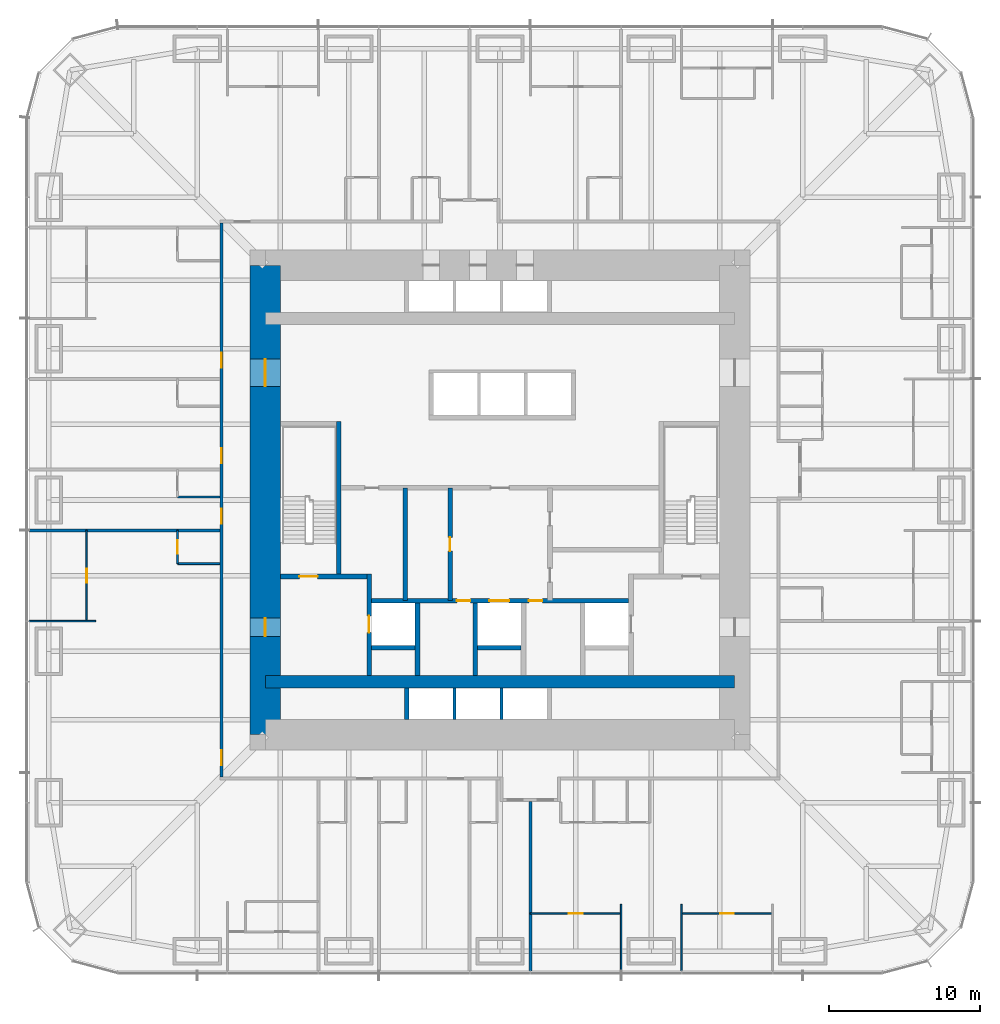
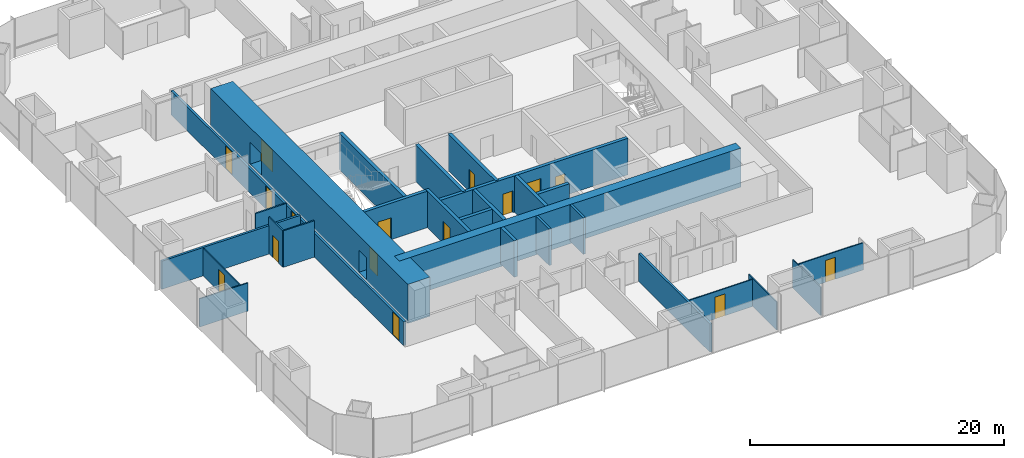
# One storey, part 12 of 16: 27 walls, 16 doors, 16 openings.
"""IFC4 building model written with IfcOpenShell, lengths in metres."""

from ifc_helpers import new_model, si_unit, direction, frame, frame_2d, origin, place, context, subcontext, project, spatial, rectangle, extrude, material, layer, layer_set, type_object, element, fill, save


model = new_model("IFC4")

# Units and contexts
model_context = context("Model", 3, precision=1e-05, world=origin(), true_north=direction((0.0, 1.0)))
body_context = subcontext(model_context, "Body", "Model", "MODEL_VIEW")
ifc_project = project(units=[si_unit("LENGTHUNIT", "METRE"), si_unit("AREAUNIT", "SQUARE_METRE"), si_unit("VOLUMEUNIT", "CUBIC_METRE"), si_unit("PLANEANGLEUNIT", "RADIAN"), si_unit("MASSUNIT", "GRAM", prefix="KILO")], contexts=[model_context])

# Site, building, storey
site_placement = place(None, origin())
site = spatial("IfcSite", under=ifc_project, at=site_placement, CompositionType="ELEMENT")
building_placement = place(site_placement, origin())
building = spatial("IfcBuilding", under=site, at=building_placement, Name="Khuree Lantern Residences", CompositionType="ELEMENT")
storey_placement = place(building_placement, frame((0.0, 0.0, 69.75)))
storey = spatial("IfcBuildingStorey", under=building, at=storey_placement, Name="L17", CompositionType="ELEMENT", Elevation=69.75)

# Wall
ifc_material_1 = material(Name="Moisture-resistant gypsum board on steel studs", Category="steel")
ifc_layer_1 = layer(ifc_material_1, 0.125)
ifc_layer_set_1 = layer_set([ifc_layer_1], Name="BATHROOM WALL BTW125")
wall_type_1 = type_object("IfcWallType", Name="BATHROOM WALL BTW125", PredefinedType="PARTITIONING", material=ifc_layer_set_1)
wall_1_placement = place(storey_placement, frame((-18.5, 0.199951171875, 0.0), z_axis=(0.0, 0.0, 1.0), x_axis=(-1.0, 0.0, 0.0)))
element("IfcWall", 1, at=wall_1_placement, inside=storey, type_object=wall_type_1, Name="L17 BATHROOM WALL 08", PredefinedType="PARTITIONING", context=body_context, shape_type="SweptSolid", body=[
    extrude(rectangle(XDim=2.800048828125, YDim=0.125, at=frame_2d((1.39990234375, 0.0))), origin(), (0.0, 0.0, 1.0), 2.491943359375),
])

# Wall, opening, door
wall_2_placement = place(storey_placement, frame((-21.300048828125, -2.0, 0.0), z_axis=(0.0, 0.0, 1.0), x_axis=(0.0, -1.0, 0.0)))
wall_2 = element("IfcWall", 2, at=wall_2_placement, inside=storey, type_object=wall_type_1, Name="L17 BATHROOM WALL 09", PredefinedType="PARTITIONING", context=body_context, shape_type="SweptSolid", body=[
    extrude(rectangle(XDim=2.199951171875, YDim=0.125, at=frame_2d((1.10009765625, 0.0))), origin(), (0.0, 0.0, 1.0), 3.5),
])
opening_1_placement = place(wall_2_placement, frame((0.64990234375, 0.0, 0.0)))
opening_1 = element("IfcOpeningElement", 3, at=opening_1_placement, cuts=wall_2, Name="Opening 17-050", PredefinedType="OPENING", context=body_context, shape_type="SweptSolid", body=[
    extrude(rectangle(XDim=0.89990234375, YDim=2.10009765625, at=frame_2d((0.449951171875, 1.050048828125))), frame((0.0, 0.072509765625, 0.0), z_axis=(0.0, -1.0, 0.0), x_axis=(1.0, 0.0, 0.0)), (0.0, 0.0, 1.0), 0.14501953125),
])
ifc_material_2 = material(Name="Timber door leaf in hardwood frame", Category="wood")
door_type_1 = type_object("IfcDoorType", Name="BATHROOM DOOR 900X2100", OperationType="SINGLE_SWING_LEFT", PredefinedType="DOOR", material=ifc_material_2)
door_1_placement = place(opening_1_placement, origin())
door_1 = element("IfcDoor", 4, at=door_1_placement, inside=storey, type_object=door_type_1, Name="Bathroom door 17-050", OperationType="SINGLE_SWING_LEFT", OverallHeight=2.10009765625, OverallWidth=0.89990234375, PredefinedType="DOOR", context=body_context, shape_type="SweptSolid", body=[
    extrude(rectangle(XDim=0.89990234375, YDim=2.10009765625, at=frame_2d((0.449951171875, 1.050048828125))), frame((0.0, 0.02490234375, 0.0), z_axis=(0.0, -1.0, 0.0), x_axis=(1.0, 0.0, 0.0)), (0.0, 0.0, 1.0), 0.050048828125),
])
fill(opening_1, door_1)

# Wall
wall_3_placement = place(storey_placement, frame((-18.5, -4.199951171875, 0.0), z_axis=(0.0, 0.0, 1.0), x_axis=(-1.0, 0.0, 0.0)))
element("IfcWall", 5, at=wall_3_placement, inside=storey, type_object=wall_type_1, Name="L17 BATHROOM WALL 09", PredefinedType="PARTITIONING", context=body_context, shape_type="SweptSolid", body=[
    extrude(rectangle(XDim=2.800048828125, YDim=0.125, at=frame_2d((1.39990234375, 0.0))), origin(), (0.0, 0.0, 1.0), 3.5),
])

# Wall, opening, door
ifc_material_3 = material(Name="Dense concrete blockwork", Category="masonry")
ifc_layer_2 = layer(ifc_material_3, 0.300048828125)
ifc_layer_set_2 = layer_set([ifc_layer_2], Name="CORE PARTITION WALL CPW300 EI 120")
wall_type_2 = type_object("IfcWallType", Name="CORE PARTITION WALL CPW300 EI 120", PredefinedType="PARTITIONING", material=ifc_layer_set_2)
wall_4_placement = place(storey_placement, frame((-8.64990234375, -11.60009765625, 0.0), z_axis=(0.0, 0.0, 1.0), x_axis=(0.0, 1.0, 0.0)))
wall_4 = element("IfcWall", 6, at=wall_4_placement, inside=storey, type_object=wall_type_2, Name="L17 CORE WALL FL1W", PredefinedType="PARTITIONING", context=body_context, shape_type="SweptSolid", body=[
    extrude(rectangle(XDim=6.7001953125, YDim=0.300048828125, at=frame_2d((3.35009765625, 0.0))), origin(), (0.0, 0.0, 1.0), 3.5),
])
opening_2_placement = place(wall_4_placement, frame((2.85009765625, 0.0, 0.0)))
opening_2 = element("IfcOpeningElement", 7, at=opening_2_placement, cuts=wall_4, Name="Opening 17-007", PredefinedType="OPENING", context=body_context, shape_type="SweptSolid", body=[
    extrude(rectangle(XDim=1.10009765625, YDim=2.10009765625, at=frame_2d((0.550048828125, 1.050048828125))), frame((0.0, 0.16015625, 0.0), z_axis=(0.0, -1.0, 0.0), x_axis=(1.0, 0.0, 0.0)), (0.0, 0.0, 1.0), 0.320068359375),
])
ifc_material_4 = material(Name="Stainless steel lift landing door", Category="steel")
door_type_2 = type_object("IfcDoorType", Name="LIFT LANDING DOOR 1100X2100 E 120", OperationType="DOUBLE_DOOR_SLIDING", PredefinedType="DOOR", material=ifc_material_4)
door_2_placement = place(opening_2_placement, origin())
door_2 = element("IfcDoor", 8, at=door_2_placement, inside=storey, type_object=door_type_2, Name="Landing door FL1 17-007", OperationType="DOUBLE_DOOR_SLIDING", OverallHeight=2.10009765625, OverallWidth=1.10009765625, PredefinedType="DOOR", context=body_context, shape_type="SweptSolid", body=[
    extrude(rectangle(XDim=1.10009765625, YDim=2.10009765625, at=frame_2d((0.550048828125, 1.050048828125))), frame((0.0, 0.02490234375, 0.0), z_axis=(0.0, -1.0, 0.0), x_axis=(1.0, 0.0, 0.0)), (0.0, 0.0, 1.0), 0.050048828125),
])
fill(opening_2, door_2)

# Wall, openings, doors
wall_5_placement = place(storey_placement, frame((-8.5, -6.64990234375, 0.0), z_axis=(0.0, 0.0, 1.0), x_axis=(1.0, 0.0, 0.0)))
wall_5 = element("IfcWall", 9, at=wall_5_placement, inside=storey, type_object=wall_type_2, Name="L17 CORE WALL FLROW", PredefinedType="PARTITIONING", context=body_context, shape_type="SweptSolid", body=[
    extrude(rectangle(XDim=17.0, YDim=0.300048828125, at=frame_2d((8.5, 0.0))), origin(), (0.0, 0.0, 1.0), 3.5),
])
opening_3_placement = place(wall_5_placement, frame((7.800048828125, 0.0, 0.0)))
opening_3 = element("IfcOpeningElement", 10, at=opening_3_placement, cuts=wall_5, Name="Opening 17-012", PredefinedType="OPENING", context=body_context, shape_type="SweptSolid", body=[
    extrude(rectangle(XDim=1.300048828125, YDim=2.39990234375, at=frame_2d((0.64990234375, 1.199951171875))), frame((0.0, 0.16015625, 0.0), z_axis=(0.0, -1.0, 0.0), x_axis=(1.0, 0.0, 0.0)), (0.0, 0.0, 1.0), 0.320068359375),
])
opening_4_placement = place(wall_5_placement, frame((5.64990234375, 0.0, 0.0)))
opening_4 = element("IfcOpeningElement", 11, at=opening_4_placement, cuts=wall_5, Name="Opening 17-014", PredefinedType="OPENING", context=body_context, shape_type="SweptSolid", body=[
    extrude(rectangle(XDim=0.89990234375, YDim=2.10009765625, at=frame_2d((0.449951171875, 1.050048828125))), frame((0.0, 0.16015625, 0.0), z_axis=(0.0, -1.0, 0.0), x_axis=(1.0, 0.0, 0.0)), (0.0, 0.0, 1.0), 0.320068359375),
])
opening_5_placement = place(wall_5_placement, frame((10.39990234375, 0.0, 0.0)))
opening_5 = element("IfcOpeningElement", 12, at=opening_5_placement, cuts=wall_5, Name="Opening 17-015", PredefinedType="OPENING", context=body_context, shape_type="SweptSolid", body=[
    extrude(rectangle(XDim=0.89990234375, YDim=2.10009765625, at=frame_2d((0.449951171875, 1.050048828125))), frame((0.0, 0.16015625, 0.0), z_axis=(0.0, -1.0, 0.0), x_axis=(1.0, 0.0, 0.0)), (0.0, 0.0, 1.0), 0.320068359375),
])
ifc_material_5 = material(Name="Steel door leaf in steel frame", Category="steel")
door_type_3 = type_object("IfcDoorType", Name="DOOR 900X2100 EI 60", OperationType="SINGLE_SWING_LEFT", PredefinedType="DOOR", material=ifc_material_5)
door_3_placement = place(opening_4_placement, origin())
door_3 = element("IfcDoor", 13, at=door_3_placement, inside=storey, type_object=door_type_3, Name="Refuse chute room door 17-014", OperationType="SINGLE_SWING_LEFT", OverallHeight=2.10009765625, OverallWidth=0.89990234375, PredefinedType="DOOR", context=body_context, shape_type="SweptSolid", body=[
    extrude(rectangle(XDim=0.89990234375, YDim=2.10009765625, at=frame_2d((0.449951171875, 1.050048828125))), frame((0.0, 0.02490234375, 0.0), z_axis=(0.0, -1.0, 0.0), x_axis=(1.0, 0.0, 0.0)), (0.0, 0.0, 1.0), 0.050048828125),
])
fill(opening_4, door_3)
door_type_4 = type_object("IfcDoorType", Name="DOOR 900X2100 EI 60 RIGHT HAND", OperationType="SINGLE_SWING_RIGHT", PredefinedType="DOOR", material=ifc_material_5)
door_4_placement = place(opening_5_placement, origin())
door_4 = element("IfcDoor", 14, at=door_4_placement, inside=storey, type_object=door_type_4, Name="Electrical and plumbing riser door 17-015", OperationType="SINGLE_SWING_RIGHT", OverallHeight=2.10009765625, OverallWidth=0.89990234375, PredefinedType="DOOR", context=body_context, shape_type="SweptSolid", body=[
    extrude(rectangle(XDim=0.89990234375, YDim=2.10009765625, at=frame_2d((0.449951171875, 1.050048828125))), frame((0.0, 0.02490234375, 0.0), z_axis=(0.0, -1.0, 0.0), x_axis=(1.0, 0.0, 0.0)), (0.0, 0.0, 1.0), 0.050048828125),
])
fill(opening_5, door_4)
door_type_5 = type_object("IfcDoorType", Name="LIFT LANDING DOOR 1300X2400 E 60", OperationType="DOUBLE_DOOR_SLIDING", PredefinedType="DOOR", material=ifc_material_4)
door_5_placement = place(opening_3_placement, origin())
door_5 = element("IfcDoor", 15, at=door_5_placement, inside=storey, type_object=door_type_5, Name="Landing door SL1 17-012", OperationType="DOUBLE_DOOR_SLIDING", OverallHeight=2.39990234375, OverallWidth=1.300048828125, PredefinedType="DOOR", context=body_context, shape_type="SweptSolid", body=[
    extrude(rectangle(XDim=1.300048828125, YDim=2.39990234375, at=frame_2d((0.64990234375, 1.199951171875))), frame((0.0, 0.02490234375, 0.0), z_axis=(0.0, -1.0, 0.0), x_axis=(1.0, 0.0, 0.0)), (0.0, 0.0, 1.0), 0.050048828125),
])
fill(opening_3, door_5)

# Walls
for number, where, z_axis, x_axis, name in (
    (16, (-5.449951171875, -11.60009765625, 0.0), (0.0, 0.0, 1.0), (0.0, 1.0, 0.0), "L17 CORE WALL FL1E"),
    (17, (-1.64990234375, -11.60009765625, 0.0), (0.0, 0.0, 1.0), (0.0, 1.0, 0.0), "L17 CORE WALL SL1W"),
):
    element("IfcWall", number, at=place(storey_placement, frame(where, z_axis=z_axis, x_axis=x_axis)), inside=storey, type_object=wall_type_2, Name=name, PredefinedType="PARTITIONING", context=body_context, shape_type="SweptSolid", body=[
        extrude(rectangle(XDim=4.800048828125, YDim=0.300048828125, at=frame_2d((2.39990234375, 0.0))), origin(), (0.0, 0.0, 1.0), 3.5),
    ])
for number, where, z_axis, x_axis, name in (
    (18, (-8.5, -9.75, 0.0), (0.0, 0.0, 1.0), (1.0, 0.0, 0.0), "L17 CORE WALL FL1S"),
    (19, (-1.5, -9.75, 0.0), (0.0, 0.0, 1.0), (1.0, 0.0, 0.0), "L17 CORE WALL SL1S"),
):
    element("IfcWall", number, at=place(storey_placement, frame(where, z_axis=z_axis, x_axis=x_axis)), inside=storey, type_object=wall_type_2, Name=name, PredefinedType="PARTITIONING", context=body_context, shape_type="SweptSolid", body=[
        extrude(rectangle(XDim=2.89990234375, YDim=0.300048828125, at=frame_2d((1.449951171875, 0.0))), origin(), (0.0, 0.0, 1.0), 3.5),
    ])
wall_6_placement = place(storey_placement, frame((-6.14990234375, -14.5, 0.0), z_axis=(0.0, 0.0, 1.0), x_axis=(0.0, 1.0, 0.0)))
element("IfcWall", 20, at=wall_6_placement, inside=storey, type_object=wall_type_2, Name="L17 CORE WALL PMW", PredefinedType="PARTITIONING", context=body_context, shape_type="SweptSolid", body=[
    extrude(rectangle(XDim=2.10009765625, YDim=0.300048828125, at=frame_2d((1.050048828125, 0.0))), origin(), (0.0, 0.0, 1.0), 3.5),
])

# Wall, opening, door
wall_7_placement = place(storey_placement, frame((-3.300048828125, -6.64990234375, 0.0), z_axis=(0.0, 0.0, 1.0), x_axis=(0.0, 1.0, 0.0)))
wall_7 = element("IfcWall", 21, at=wall_7_placement, inside=storey, type_object=wall_type_2, Name="L17 CORE WALL SVW", PredefinedType="PARTITIONING", context=body_context, shape_type="SweptSolid", body=[
    extrude(rectangle(XDim=7.449951171875, YDim=0.300048828125, at=frame_2d((3.72509765625, 0.0))), origin(), (0.0, 0.0, 1.0), 3.5),
])
opening_6_placement = place(wall_7_placement, frame((3.27490234375, 0.0, 0.0)))
opening_6 = element("IfcOpeningElement", 22, at=opening_6_placement, cuts=wall_7, Name="Opening 17-016", PredefinedType="OPENING", context=body_context, shape_type="SweptSolid", body=[
    extrude(rectangle(XDim=0.89990234375, YDim=2.10009765625, at=frame_2d((0.449951171875, 1.050048828125))), frame((0.0, 0.16015625, 0.0), z_axis=(0.0, -1.0, 0.0), x_axis=(1.0, 0.0, 0.0)), (0.0, 0.0, 1.0), 0.320068359375),
])
door_type_6 = type_object("IfcDoorType", Name="DOOR 900X2100", OperationType="SINGLE_SWING_LEFT", PredefinedType="DOOR", material=ifc_material_2)
door_6_placement = place(opening_6_placement, origin())
door_6 = element("IfcDoor", 23, at=door_6_placement, inside=storey, type_object=door_type_6, Name="Bulky waste store door 17-016", OperationType="SINGLE_SWING_LEFT", OverallHeight=2.10009765625, OverallWidth=0.89990234375, PredefinedType="DOOR", context=body_context, shape_type="SweptSolid", body=[
    extrude(rectangle(XDim=0.89990234375, YDim=2.10009765625, at=frame_2d((0.449951171875, 1.050048828125))), frame((0.0, 0.02490234375, 0.0), z_axis=(0.0, -1.0, 0.0), x_axis=(1.0, 0.0, 0.0)), (0.0, 0.0, 1.0), 0.050048828125),
])
fill(opening_6, door_6)

# Wall
wall_8_placement = place(storey_placement, frame((-6.27001953125, -6.64990234375, 0.0), z_axis=(0.0, 0.0, 1.0), x_axis=(0.0, 1.0, 0.0)))
element("IfcWall", 24, at=wall_8_placement, inside=storey, type_object=wall_type_2, Name="L17 CORE WALL WV", PredefinedType="PARTITIONING", context=body_context, shape_type="SweptSolid", body=[
    extrude(rectangle(XDim=7.449951171875, YDim=0.300048828125, at=frame_2d((3.72509765625, 0.0))), origin(), (0.0, 0.0, 1.0), 3.5),
])

# Wall, openings, doors
ifc_material_6 = material(Name="Gypsum board on steel studs", Category="steel")
ifc_layer_3 = layer(ifc_material_6, 0.199951171875)
ifc_layer_set_3 = layer_set([ifc_layer_3], Name="CORRIDOR WALL CRW200 EI 60")
wall_type_3 = type_object("IfcWallType", Name="CORRIDOR WALL CRW200 EI 60", PredefinedType="PARTITIONING", material=ifc_layer_set_3)
wall_9_placement = place(storey_placement, frame((-18.39990234375, 18.300048828125, 0.0), z_axis=(0.0, 0.0, 1.0), x_axis=(0.0, -1.0, 0.0)))
wall_9 = element("IfcWall", 25, at=wall_9_placement, inside=storey, type_object=wall_type_3, Name="L17 CORRIDOR WALL WEST 1", PredefinedType="PARTITIONING", context=body_context, shape_type="SweptSolid", body=[
    extrude(rectangle(XDim=36.60009765625, YDim=0.199951171875, at=frame_2d((18.300048828125, 0.0))), origin(), (0.0, 0.0, 1.0), 2.300048828125),
])
opening_7_placement = place(wall_9_placement, frame((8.570068359375, 0.0, 0.0)))
opening_7 = element("IfcOpeningElement", 26, at=opening_7_placement, cuts=wall_9, Name="Opening 17-042", PredefinedType="OPENING", context=body_context, shape_type="SweptSolid", body=[
    extrude(rectangle(XDim=1.0, YDim=2.199951171875, at=frame_2d((0.5, 1.10009765625))), frame((0.0, 0.10986328125, 0.0), z_axis=(0.0, -1.0, 0.0), x_axis=(1.0, 0.0, 0.0)), (0.0, 0.0, 1.0), 0.219970703125),
])
opening_8_placement = place(wall_9_placement, frame((14.8701171875, 0.0, 0.0)))
opening_8 = element("IfcOpeningElement", 27, at=opening_8_placement, cuts=wall_9, Name="Opening 17-044", PredefinedType="OPENING", context=body_context, shape_type="SweptSolid", body=[
    extrude(rectangle(XDim=1.0, YDim=2.199951171875, at=frame_2d((0.5, 1.10009765625))), frame((0.0, 0.10986328125, 0.0), z_axis=(0.0, -1.0, 0.0), x_axis=(1.0, 0.0, 0.0)), (0.0, 0.0, 1.0), 0.219970703125),
])
opening_9_placement = place(wall_9_placement, frame((18.8701171875, 0.0, 0.0)))
opening_9 = element("IfcOpeningElement", 28, at=opening_9_placement, cuts=wall_9, Name="Opening 17-046", PredefinedType="OPENING", context=body_context, shape_type="SweptSolid", body=[
    extrude(rectangle(XDim=1.0, YDim=2.199951171875, at=frame_2d((0.5, 1.10009765625))), frame((0.0, 0.10986328125, 0.0), z_axis=(0.0, -1.0, 0.0), x_axis=(1.0, 0.0, 0.0)), (0.0, 0.0, 1.0), 0.219970703125),
])
opening_10_placement = place(wall_9_placement, frame((34.820068359375, 0.0, 0.0)))
opening_10 = element("IfcOpeningElement", 29, at=opening_10_placement, cuts=wall_9, Name="Opening 17-051", PredefinedType="OPENING", context=body_context, shape_type="SweptSolid", body=[
    extrude(rectangle(XDim=1.0, YDim=2.199951171875, at=frame_2d((0.5, 1.10009765625))), frame((0.0, 0.10986328125, 0.0), z_axis=(0.0, -1.0, 0.0), x_axis=(1.0, 0.0, 0.0)), (0.0, 0.0, 1.0), 0.219970703125),
])
door_type_7 = type_object("IfcDoorType", Name="APARTMENT ENTRANCE DOOR 1000X2200 EI 30S", OperationType="SINGLE_SWING_LEFT", PredefinedType="DOOR", material=ifc_material_2)
door_7_placement = place(opening_7_placement, origin())
door_7 = element("IfcDoor", 30, at=door_7_placement, inside=storey, type_object=door_type_7, Name="Apartment 06 entrance door 17-042", OperationType="SINGLE_SWING_LEFT", OverallHeight=2.199951171875, OverallWidth=1.0, PredefinedType="DOOR", context=body_context, shape_type="SweptSolid", body=[
    extrude(rectangle(XDim=1.0, YDim=2.199951171875, at=frame_2d((0.5, 1.10009765625))), frame((0.0, 0.02490234375, 0.0), z_axis=(0.0, -1.0, 0.0), x_axis=(1.0, 0.0, 0.0)), (0.0, 0.0, 1.0), 0.050048828125),
])
fill(opening_7, door_7)
door_8_placement = place(opening_8_placement, origin())
door_8 = element("IfcDoor", 31, at=door_8_placement, inside=storey, type_object=door_type_7, Name="Apartment 07 entrance door 17-044", OperationType="SINGLE_SWING_LEFT", OverallHeight=2.199951171875, OverallWidth=1.0, PredefinedType="DOOR", context=body_context, shape_type="SweptSolid", body=[
    extrude(rectangle(XDim=1.0, YDim=2.199951171875, at=frame_2d((0.5, 1.10009765625))), frame((0.0, 0.02490234375, 0.0), z_axis=(0.0, -1.0, 0.0), x_axis=(1.0, 0.0, 0.0)), (0.0, 0.0, 1.0), 0.050048828125),
])
fill(opening_8, door_8)
door_9_placement = place(opening_9_placement, origin())
door_9 = element("IfcDoor", 32, at=door_9_placement, inside=storey, type_object=door_type_7, Name="Apartment 08 entrance door 17-046", OperationType="SINGLE_SWING_LEFT", OverallHeight=2.199951171875, OverallWidth=1.0, PredefinedType="DOOR", context=body_context, shape_type="SweptSolid", body=[
    extrude(rectangle(XDim=1.0, YDim=2.199951171875, at=frame_2d((0.5, 1.10009765625))), frame((0.0, 0.02490234375, 0.0), z_axis=(0.0, -1.0, 0.0), x_axis=(1.0, 0.0, 0.0)), (0.0, 0.0, 1.0), 0.050048828125),
])
fill(opening_9, door_9)
door_type_8 = type_object("IfcDoorType", Name="APARTMENT ENTRANCE DOOR 1000X2200 EI 30S RIGHT HAND", OperationType="SINGLE_SWING_RIGHT", PredefinedType="DOOR", material=ifc_material_2)
door_10_placement = place(opening_10_placement, origin())
door_10 = element("IfcDoor", 33, at=door_10_placement, inside=storey, type_object=door_type_8, Name="Apartment 09 entrance door 17-051", OperationType="SINGLE_SWING_RIGHT", OverallHeight=2.199951171875, OverallWidth=1.0, PredefinedType="DOOR", context=body_context, shape_type="SweptSolid", body=[
    extrude(rectangle(XDim=1.0, YDim=2.199951171875, at=frame_2d((0.5, 1.10009765625))), frame((0.0, 0.02490234375, 0.0), z_axis=(0.0, -1.0, 0.0), x_axis=(1.0, 0.0, 0.0)), (0.0, 0.0, 1.0), 0.050048828125),
])
fill(opening_10, door_10)

ifc_material_7 = material(Name="Concrete C70/85", Category="concrete")
ifc_layer_4 = layer(ifc_material_7, 2.0)
ifc_layer_set_4 = layer_set([ifc_layer_4], Name="CW2000-C70 CORE WALL C70 2000")
wall_type_4 = type_object("IfcWallType", Name="CW2000-C70 CORE WALL C70 2000", PredefinedType="SHEAR", material=ifc_layer_set_4)
wall_10_placement = place(storey_placement, frame((-15.5, -15.5, -0.25), z_axis=(0.0, 0.0, 1.0), x_axis=(0.0, 1.0, 0.0)))
wall_10 = element("IfcWall", 34, at=wall_10_placement, inside=storey, type_object=wall_type_4, Name="Core wall W", PredefinedType="SHEAR", context=body_context, shape_type="SweptSolid", body=[
    extrude(rectangle(XDim=31.0, YDim=2.0, at=frame_2d((15.5, 0.0))), origin(), (0.0, 0.0, 1.0), 3.75),
])
opening_11_placement = place(wall_10_placement, frame((6.5, 0.0, 0.25)))
opening_11 = element("IfcOpeningElement", 35, at=opening_11_placement, cuts=wall_10, Name="Opening 17-002", PredefinedType="OPENING", context=body_context, shape_type="SweptSolid", body=[
    extrude(rectangle(XDim=1.199951171875, YDim=2.10009765625, at=frame_2d((0.60009765625, 1.050048828125))), frame((0.0, 1.010009765625, 0.0), z_axis=(0.0, -1.0, 0.0), x_axis=(1.0, 0.0, 0.0)), (0.0, 0.0, 1.0), 2.02001953125),
])
opening_12_placement = place(wall_10_placement, frame((23.0, 0.0, 0.25)))
opening_12 = element("IfcOpeningElement", 36, at=opening_12_placement, cuts=wall_10, Name="Opening 17-003", PredefinedType="OPENING", context=body_context, shape_type="SweptSolid", body=[
    extrude(rectangle(XDim=1.800048828125, YDim=2.10009765625, at=frame_2d((0.89990234375, 1.050048828125))), frame((0.0, 1.010009765625, 0.0), z_axis=(0.0, -1.0, 0.0), x_axis=(1.0, 0.0, 0.0)), (0.0, 0.0, 1.0), 2.02001953125),
])
door_type_9 = type_object("IfcDoorType", Name="LOBBY DOOR 1200X2100 EI 120", OperationType="SINGLE_SWING_LEFT", PredefinedType="DOOR", material=ifc_material_5)
door_11_placement = place(opening_11_placement, origin())
door_11 = element("IfcDoor", 37, at=door_11_placement, inside=storey, type_object=door_type_9, Name="Firefighting lobby door 17-002", OperationType="SINGLE_SWING_LEFT", OverallHeight=2.10009765625, OverallWidth=1.199951171875, PredefinedType="DOOR", context=body_context, shape_type="SweptSolid", body=[
    extrude(rectangle(XDim=1.199951171875, YDim=2.10009765625, at=frame_2d((0.60009765625, 1.050048828125))), frame((0.0, 0.02490234375, 0.0), z_axis=(0.0, -1.0, 0.0), x_axis=(1.0, 0.0, 0.0)), (0.0, 0.0, 1.0), 0.050048828125),
])
fill(opening_11, door_11)
door_type_10 = type_object("IfcDoorType", Name="LOBBY DOUBLE DOOR 1800X2100 EI 60", OperationType="DOUBLE_DOOR_SINGLE_SWING", PredefinedType="DOOR", material=ifc_material_5)
door_12_placement = place(opening_12_placement, origin())
door_12 = element("IfcDoor", 38, at=door_12_placement, inside=storey, type_object=door_type_10, Name="Lift lobby door 17-003", OperationType="DOUBLE_DOOR_SINGLE_SWING", OverallHeight=2.10009765625, OverallWidth=1.800048828125, PredefinedType="DOOR", context=body_context, shape_type="SweptSolid", body=[
    extrude(rectangle(XDim=1.800048828125, YDim=2.10009765625, at=frame_2d((0.89990234375, 1.050048828125))), frame((0.0, 0.02490234375, 0.0), z_axis=(0.0, -1.0, 0.0), x_axis=(1.0, 0.0, 0.0)), (0.0, 0.0, 1.0), 0.050048828125),
])
fill(opening_12, door_12)

# Walls
ifc_layer_5 = layer(ifc_material_6, 0.199951171875)
ifc_layer_set_5 = layer_set([ifc_layer_5], Name="DEMISING WALL DMW200 EI 90")
wall_type_5 = type_object("IfcWallType", Name="DEMISING WALL DMW200 EI 90", PredefinedType="PARTITIONING", material=ifc_layer_set_5)
wall_11_placement = place(storey_placement, frame((-18.5, -2.0, 0.0), z_axis=(0.0, 0.0, 1.0), x_axis=(-1.0, 0.0, 0.0)))
element("IfcWall", 39, at=wall_11_placement, inside=storey, type_object=wall_type_5, Name="L17 DEMISING WALL 09", PredefinedType="PARTITIONING", context=body_context, shape_type="SweptSolid", body=[
    extrude(rectangle(XDim=12.60009765625, YDim=0.199951171875, at=frame_2d((6.300048828125, 0.0))), origin(), (0.0, 0.0, 1.0), 2.7099609375),
])
wall_12_placement = place(storey_placement, frame((2.0, -19.89990234375, 0.0), z_axis=(0.0, 0.0, 1.0), x_axis=(0.0, -1.0, 0.0)))
element("IfcWall", 40, at=wall_12_placement, inside=storey, type_object=wall_type_5, Name="L17 DEMISING WALL 13", PredefinedType="PARTITIONING", context=body_context, shape_type="SweptSolid", body=[
    extrude(rectangle(XDim=11.2001953125, YDim=0.199951171875, at=frame_2d((5.60009765625, 0.0))), origin(), (0.0, 0.0, 1.0), 2.7099609375),
])
ifc_layer_6 = layer(ifc_material_6, 0.10009765625)
ifc_layer_set_6 = layer_set([ifc_layer_6], Name="PARTITION PT100")
wall_type_6 = type_object("IfcWallType", Name="PARTITION PT100", PredefinedType="PARTITIONING", material=ifc_layer_set_6)
for number, where, z_axis, x_axis, name in (
    (41, (-26.699951171875, -8.0, 0.0), (0.0, 0.0, 1.0), (-1.0, 0.0, 0.0), "L17 PARTITION 09"),
    (42, (8.0, -26.699951171875, 0.0), (0.0, 0.0, 1.0), (0.0, -1.0, 0.0), "L17 PARTITION 13"),
    (43, (12.0, -26.699951171875, 0.0), (0.0, 0.0, 1.0), (0.0, -1.0, 0.0), "L17 PARTITION 13"),
):
    element("IfcWall", number, at=place(storey_placement, frame(where, z_axis=z_axis, x_axis=x_axis)), inside=storey, type_object=wall_type_6, Name=name, PredefinedType="PARTITIONING", context=body_context, shape_type="SweptSolid", body=[
        extrude(rectangle(XDim=4.400146484375, YDim=0.10009765625, at=frame_2d((2.2001953125, 0.0))), origin(), (0.0, 0.0, 1.0), 2.7099609375),
    ])

# Wall, opening, door
wall_13_placement = place(storey_placement, frame((-27.300048828125, -2.0, 0.0), z_axis=(0.0, 0.0, 1.0), x_axis=(0.0, -1.0, 0.0)))
wall_13 = element("IfcWall", 44, at=wall_13_placement, inside=storey, type_object=wall_type_6, Name="L17 PARTITION 09", PredefinedType="PARTITIONING", context=body_context, shape_type="SweptSolid", body=[
    extrude(rectangle(XDim=6.0, YDim=0.10009765625, at=frame_2d((3.0, 0.0))), origin(), (0.0, 0.0, 1.0), 2.610107421875),
])
opening_13_placement = place(wall_13_placement, frame((2.550048828125, 0.0, 0.0)))
opening_13 = element("IfcOpeningElement", 45, at=opening_13_placement, cuts=wall_13, Name="Opening 17-047", PredefinedType="OPENING", context=body_context, shape_type="SweptSolid", body=[
    extrude(rectangle(XDim=0.89990234375, YDim=2.10009765625, at=frame_2d((0.449951171875, 1.050048828125))), frame((0.0, 0.06005859375, 0.0), z_axis=(0.0, -1.0, 0.0), x_axis=(1.0, 0.0, 0.0)), (0.0, 0.0, 1.0), 0.1201171875),
])
door_type_11 = type_object("IfcDoorType", Name="BEDROOM DOOR 900X2100", OperationType="SINGLE_SWING_LEFT", PredefinedType="DOOR", material=ifc_material_2)
door_13_placement = place(opening_13_placement, origin())
door_13 = element("IfcDoor", 46, at=door_13_placement, inside=storey, type_object=door_type_11, Name="Bedroom door 17-047", OperationType="SINGLE_SWING_LEFT", OverallHeight=2.10009765625, OverallWidth=0.89990234375, PredefinedType="DOOR", context=body_context, shape_type="SweptSolid", body=[
    extrude(rectangle(XDim=0.89990234375, YDim=2.10009765625, at=frame_2d((0.449951171875, 1.050048828125))), frame((0.0, 0.02490234375, 0.0), z_axis=(0.0, -1.0, 0.0), x_axis=(1.0, 0.0, 0.0)), (0.0, 0.0, 1.0), 0.050048828125),
])
fill(opening_13, door_13)

wall_14_placement = place(storey_placement, frame((2.0, -27.300048828125, 0.0), z_axis=(0.0, 0.0, 1.0), x_axis=(1.0, 0.0, 0.0)))
wall_14 = element("IfcWall", 47, at=wall_14_placement, inside=storey, type_object=wall_type_6, Name="L17 PARTITION 13", PredefinedType="PARTITIONING", context=body_context, shape_type="SweptSolid", body=[
    extrude(rectangle(XDim=6.0, YDim=0.10009765625, at=frame_2d((3.0, 0.0))), origin(), (0.0, 0.0, 1.0), 2.610107421875),
])
opening_14_placement = place(wall_14_placement, frame((2.550048828125, 0.0, 0.0)))
opening_14 = element("IfcOpeningElement", 48, at=opening_14_placement, cuts=wall_14, Name="Opening 17-058", PredefinedType="OPENING", context=body_context, shape_type="SweptSolid", body=[
    extrude(rectangle(XDim=0.89990234375, YDim=2.10009765625, at=frame_2d((0.449951171875, 1.050048828125))), frame((0.0, 0.06005859375, 0.0), z_axis=(0.0, -1.0, 0.0), x_axis=(1.0, 0.0, 0.0)), (0.0, 0.0, 1.0), 0.1201171875),
])
door_14_placement = place(opening_14_placement, origin())
door_14 = element("IfcDoor", 49, at=door_14_placement, inside=storey, type_object=door_type_11, Name="Bedroom door 17-058", OperationType="SINGLE_SWING_LEFT", OverallHeight=2.10009765625, OverallWidth=0.89990234375, PredefinedType="DOOR", context=body_context, shape_type="SweptSolid", body=[
    extrude(rectangle(XDim=0.89990234375, YDim=2.10009765625, at=frame_2d((0.449951171875, 1.050048828125))), frame((0.0, 0.02490234375, 0.0), z_axis=(0.0, -1.0, 0.0), x_axis=(1.0, 0.0, 0.0)), (0.0, 0.0, 1.0), 0.050048828125),
])
fill(opening_14, door_14)

wall_15_placement = place(storey_placement, frame((12.0, -27.300048828125, 0.0), z_axis=(0.0, 0.0, 1.0), x_axis=(1.0, 0.0, 0.0)))
wall_15 = element("IfcWall", 50, at=wall_15_placement, inside=storey, type_object=wall_type_6, Name="L17 PARTITION 13", PredefinedType="PARTITIONING", context=body_context, shape_type="SweptSolid", body=[
    extrude(rectangle(XDim=6.0, YDim=0.10009765625, at=frame_2d((3.0, 0.0))), origin(), (0.0, 0.0, 1.0), 2.610107421875),
])
opening_15_placement = place(wall_15_placement, frame((2.550048828125, 0.0, 0.0)))
opening_15 = element("IfcOpeningElement", 51, at=opening_15_placement, cuts=wall_15, Name="Opening 17-059", PredefinedType="OPENING", context=body_context, shape_type="SweptSolid", body=[
    extrude(rectangle(XDim=0.89990234375, YDim=2.10009765625, at=frame_2d((0.449951171875, 1.050048828125))), frame((0.0, 0.06005859375, 0.0), z_axis=(0.0, -1.0, 0.0), x_axis=(1.0, 0.0, 0.0)), (0.0, 0.0, 1.0), 0.1201171875),
])
door_15_placement = place(opening_15_placement, origin())
door_15 = element("IfcDoor", 52, at=door_15_placement, inside=storey, type_object=door_type_11, Name="Bedroom door 17-059", OperationType="SINGLE_SWING_LEFT", OverallHeight=2.10009765625, OverallWidth=0.89990234375, PredefinedType="DOOR", context=body_context, shape_type="SweptSolid", body=[
    extrude(rectangle(XDim=0.89990234375, YDim=2.10009765625, at=frame_2d((0.449951171875, 1.050048828125))), frame((0.0, 0.02490234375, 0.0), z_axis=(0.0, -1.0, 0.0), x_axis=(1.0, 0.0, 0.0)), (0.0, 0.0, 1.0), 0.050048828125),
])
fill(opening_15, door_15)

# Walls
ifc_layer_7 = layer(ifc_material_3, 0.199951171875)
ifc_layer_set_7 = layer_set([ifc_layer_7], Name="SHAFT WALL SHW200 EI 120")
wall_type_7 = type_object("IfcWallType", Name="SHAFT WALL SHW200 EI 120", PredefinedType="PARTITIONING", material=ifc_layer_set_7)
for number, where, z_axis, x_axis, name in (
    (53, (-3.0, -14.5, 0.0), (0.0, 0.0, 1.0), (0.0, 1.0, 0.0), "L17 CORE WALL PMD1"),
    (54, (0.10009765625, -14.5, 0.0), (0.0, 0.0, 1.0), (0.0, 1.0, 0.0), "L17 CORE WALL PMD2"),
):
    element("IfcWall", number, at=place(storey_placement, frame(where, z_axis=z_axis, x_axis=x_axis)), inside=storey, type_object=wall_type_7, Name=name, PredefinedType="PARTITIONING", context=body_context, shape_type="SweptSolid", body=[
        extrude(rectangle(XDim=2.10009765625, YDim=0.199951171875, at=frame_2d((1.050048828125, 0.0))), origin(), (0.0, 0.0, 1.0), 3.5),
    ])
ifc_layer_8 = layer(ifc_material_7, 0.800048828125)
ifc_layer_set_8 = layer_set([ifc_layer_8], Name="SP800-C70 CORE SPINE WALL C70 800")
wall_type_8 = type_object("IfcWallType", Name="SP800-C70 CORE SPINE WALL C70 800", PredefinedType="SHEAR", material=ifc_layer_set_8)
wall_16_placement = place(storey_placement, frame((-15.5, -12.0, -0.25), z_axis=(0.0, 0.0, 1.0), x_axis=(1.0, 0.0, 0.0)))
element("IfcWall", 55, at=wall_16_placement, inside=storey, type_object=wall_type_8, Name="Core wall SPS", PredefinedType="SHEAR", context=body_context, shape_type="SweptSolid", body=[
    extrude(rectangle(XDim=31.0, YDim=0.800048828125, at=frame_2d((15.5, 0.0))), origin(), (0.0, 0.0, 1.0), 3.75),
])
ifc_material_8 = material(Name="Concrete C50/60", Category="concrete")
ifc_layer_9 = layer(ifc_material_8, 0.300048828125)
ifc_layer_set_9 = layer_set([ifc_layer_9], Name="STAIR WALL SRW300 C50/60 REI 240")
wall_type_9 = type_object("IfcWallType", Name="STAIR WALL SRW300 C50/60 REI 240", PredefinedType="SOLIDWALL", material=ifc_layer_set_9)
wall_17_placement = place(storey_placement, frame((-10.64990234375, -4.89990234375, 0.0), z_axis=(0.0, 0.0, 1.0), x_axis=(0.0, 1.0, 0.0)))
element("IfcWall", 56, at=wall_17_placement, inside=storey, type_object=wall_type_9, Name="L17 STAIR WALL ST1E", PredefinedType="SOLIDWALL", context=body_context, shape_type="SweptSolid", body=[
    extrude(rectangle(XDim=10.099853515625, YDim=0.300048828125, at=frame_2d((5.0498046875, 0.0))), origin(), (0.0, 0.0, 1.0), 3.5),
])

# Wall, opening, door
wall_18_placement = place(storey_placement, frame((-14.5, -5.050048828125, 0.0), z_axis=(0.0, 0.0, 1.0), x_axis=(1.0, 0.0, 0.0)))
wall_18 = element("IfcWall", 57, at=wall_18_placement, inside=storey, type_object=wall_type_9, Name="L17 STAIR WALL ST1S", PredefinedType="SOLIDWALL", context=body_context, shape_type="SweptSolid", body=[
    extrude(rectangle(XDim=5.699951171875, YDim=0.300048828125, at=frame_2d((2.85009765625, 0.0))), origin(), (0.0, 0.0, 1.0), 3.5),
])
opening_16_placement = place(wall_18_placement, frame((1.25, 0.0, 0.0)))
opening_16 = element("IfcOpeningElement", 58, at=opening_16_placement, cuts=wall_18, Name="Opening 17-001", PredefinedType="OPENING", context=body_context, shape_type="SweptSolid", body=[
    extrude(rectangle(XDim=1.199951171875, YDim=2.10009765625, at=frame_2d((0.60009765625, 1.050048828125))), frame((0.0, 0.16015625, 0.0), z_axis=(0.0, -1.0, 0.0), x_axis=(1.0, 0.0, 0.0)), (0.0, 0.0, 1.0), 0.320068359375),
])
door_type_12 = type_object("IfcDoorType", Name="STAIR DOOR 1200X2100 EI 120", OperationType="SINGLE_SWING_LEFT", PredefinedType="DOOR", material=ifc_material_5)
door_16_placement = place(opening_16_placement, origin())
door_16 = element("IfcDoor", 59, at=door_16_placement, inside=storey, type_object=door_type_12, Name="Stair ST1 door 17-001", OperationType="SINGLE_SWING_LEFT", OverallHeight=2.10009765625, OverallWidth=1.199951171875, PredefinedType="DOOR", context=body_context, shape_type="SweptSolid", body=[
    extrude(rectangle(XDim=1.199951171875, YDim=2.10009765625, at=frame_2d((0.60009765625, 1.050048828125))), frame((0.0, 0.02490234375, 0.0), z_axis=(0.0, -1.0, 0.0), x_axis=(1.0, 0.0, 0.0)), (0.0, 0.0, 1.0), 0.050048828125),
])
fill(opening_16, door_16)

save(model, "model.ifc")
